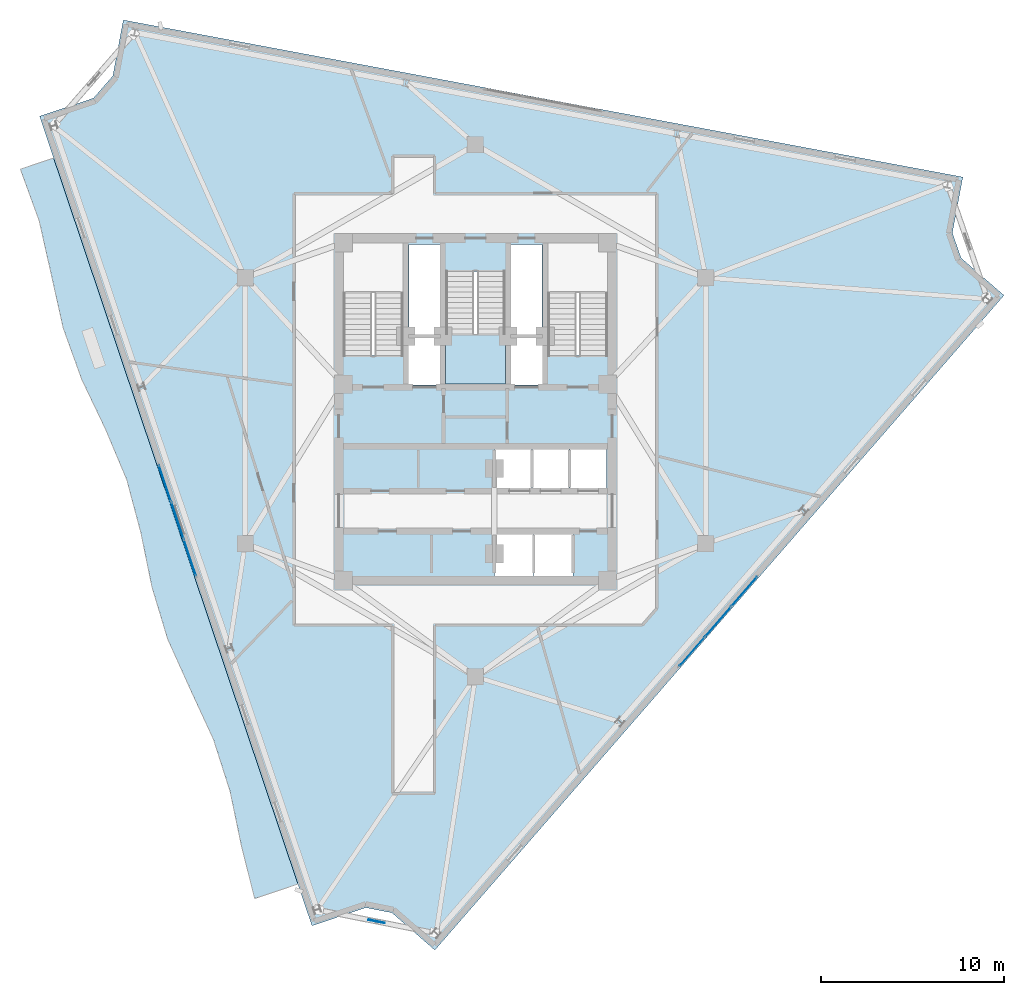
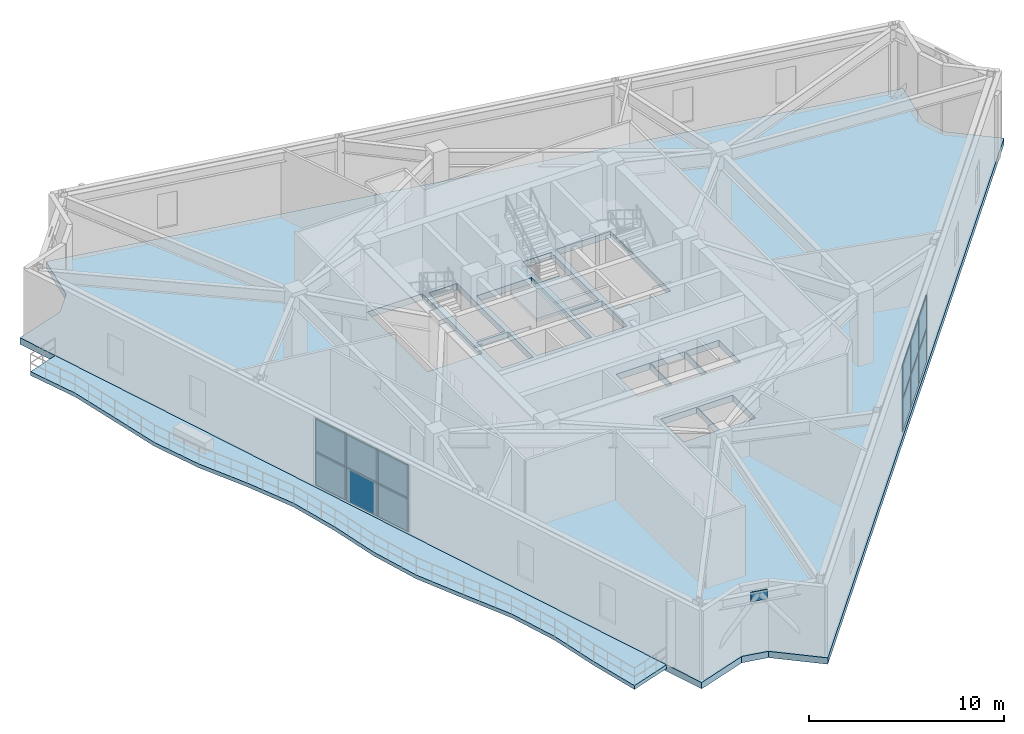
# One storey, part 8 of 15: 13 plates, 3 slabs, 3 elements without a shape of their own.
"""IFC4 building model written with IfcOpenShell, lengths in metres."""

from ifc_helpers import new_model, si_unit, direction, frame, origin, origin_2d, place, context, subcontext, project, spatial, polyline, rectangle, outline, extrude, material, layer, layer_set, type_object, element, aggregate, save


model = new_model("IFC4")

# Units and contexts
model_context = context("Model", 3, precision=1e-05, world=origin(), true_north=direction((0.0, 1.0)))
body_context = subcontext(model_context, "Body", "Model", "MODEL_VIEW")
ifc_project = project(units=[si_unit("LENGTHUNIT", "METRE"), si_unit("AREAUNIT", "SQUARE_METRE"), si_unit("VOLUMEUNIT", "CUBIC_METRE"), si_unit("PLANEANGLEUNIT", "RADIAN"), si_unit("MASSUNIT", "GRAM", prefix="KILO")], contexts=[model_context])

# Site, building, storey
site_placement = place(None, origin())
site = spatial("IfcSite", under=ifc_project, at=site_placement, CompositionType="ELEMENT")
building_placement = place(site_placement, origin())
building = spatial("IfcBuilding", under=site, at=building_placement, Name="Apsidion Concourse Tower", CompositionType="ELEMENT")
storey_placement = place(building_placement, frame((0.0, 0.0, 260.89990234375)))
storey = spatial("IfcBuildingStorey", under=building, at=storey_placement, Name="L61", CompositionType="ELEMENT", Elevation=260.89990234375)

# Curtain wall, plates
ifc_material_1 = material(Name="Insulated laminated low-E glass", Category="glass")
ifc_layer_1 = layer(ifc_material_1, 0.2099609375)
ifc_layer_set_1 = layer_set([ifc_layer_1], Name="Insulated laminated low-E glass")
curtain_wall_type = type_object("IfcCurtainWallType", Name="CW-SYS-03", PredefinedType="NOTDEFINED", material=ifc_layer_set_1)
curtain_wall_1_placement = place(storey_placement, origin())
curtain_wall_1 = element("IfcCurtainWall", 1, at=curtain_wall_1_placement, inside=storey, type_object=curtain_wall_type, Name="L61 Sky Lobby Curtain Wall 5", PredefinedType="NOTDEFINED")
ifc_layer_2 = layer(ifc_material_1, 0.031982421875)
ifc_layer_set_2 = layer_set([ifc_layer_2], Name="Insulated laminated low-E glass")
plate_type_1 = type_object("IfcPlateType", Name="CWP-GLZ-32", PredefinedType="CURTAIN_PANEL", material=ifc_layer_set_2)
plate_1_placement = place(storey_placement, frame((14.65625, -9.862060546875, 0.06494140625), z_axis=(0.0, 0.0, 1.0), x_axis=(-0.656058793498, -0.754709784933, 0.0)))
plate_1 = element("IfcPlate", 2, at=plate_1_placement, type_object=plate_type_1, Name="CW-03 panel 1.1", PredefinedType="CURTAIN_PANEL", context=body_context, shape_type="SweptSolid", body=[
    extrude(rectangle(XDim=2.091064453125, YDim=0.031982421875, at=origin_2d()), origin(), (0.0, 0.0, 1.0), 2.052490234375),
])
plate_2_placement = place(storey_placement, frame((14.65625, -9.862060546875, 2.1826171875), z_axis=(0.0, 0.0, 1.0), x_axis=(-0.656058793498, -0.754709784933, 0.0)))
plate_2 = element("IfcPlate", 3, at=plate_2_placement, type_object=plate_type_1, Name="CW-03 panel 1.2", PredefinedType="CURTAIN_PANEL", context=body_context, shape_type="SweptSolid", body=[
    extrude(rectangle(XDim=2.091064453125, YDim=0.031982421875, at=origin_2d()), origin(), (0.0, 0.0, 1.0), 2.052490234375),
])
plate_3_placement = place(storey_placement, frame((13.23095703125, -11.50146484375, 0.06494140625), z_axis=(0.0, 0.0, 1.0), x_axis=(-0.656058793498, -0.754709784933, 0.0)))
plate_3 = element("IfcPlate", 4, at=plate_3_placement, type_object=plate_type_1, Name="CW-03 panel 2.1", PredefinedType="CURTAIN_PANEL", context=body_context, shape_type="SweptSolid", body=[
    extrude(rectangle(XDim=2.12353515625, YDim=0.031982421875, at=origin_2d()), origin(), (0.0, 0.0, 1.0), 2.052490234375),
])
plate_4_placement = place(storey_placement, frame((13.23095703125, -11.50146484375, 2.1826171875), z_axis=(0.0, 0.0, 1.0), x_axis=(-0.656058793498, -0.754709784933, 0.0)))
plate_4 = element("IfcPlate", 5, at=plate_4_placement, type_object=plate_type_1, Name="CW-03 panel 2.2", PredefinedType="CURTAIN_PANEL", context=body_context, shape_type="SweptSolid", body=[
    extrude(rectangle(XDim=2.12353515625, YDim=0.031982421875, at=origin_2d()), origin(), (0.0, 0.0, 1.0), 2.052490234375),
])
plate_5_placement = place(storey_placement, frame((11.805908203125, -13.140869140625, 0.06494140625), z_axis=(0.0, 0.0, 1.0), x_axis=(-0.656058793498, -0.754709784933, 0.0)))
plate_5 = element("IfcPlate", 6, at=plate_5_placement, type_object=plate_type_1, Name="CW-03 panel 3.1", PredefinedType="CURTAIN_PANEL", context=body_context, shape_type="SweptSolid", body=[
    extrude(rectangle(XDim=2.091064453125, YDim=0.031982421875, at=origin_2d()), origin(), (0.0, 0.0, 1.0), 2.052490234375),
])
plate_6_placement = place(storey_placement, frame((11.805908203125, -13.140869140625, 2.1826171875), z_axis=(0.0, 0.0, 1.0), x_axis=(-0.656058793498, -0.754709784933, 0.0)))
plate_6 = element("IfcPlate", 7, at=plate_6_placement, type_object=plate_type_1, Name="CW-03 panel 3.2", PredefinedType="CURTAIN_PANEL", context=body_context, shape_type="SweptSolid", body=[
    extrude(rectangle(XDim=2.091064453125, YDim=0.031982421875, at=origin_2d()), origin(), (0.0, 0.0, 1.0), 2.052490234375),
])
aggregate(curtain_wall_1, [plate_1, plate_2, plate_3, plate_4, plate_5, plate_6])

curtain_wall_2_placement = place(storey_placement, origin())
curtain_wall_2 = element("IfcCurtainWall", 8, at=curtain_wall_2_placement, inside=storey, type_object=curtain_wall_type, Name="L61 Sky Lobby Curtain Wall 9", PredefinedType="NOTDEFINED")
plate_7_placement = place(storey_placement, frame((-15.573486328125, -8.013427734375, 0.06494140625), z_axis=(0.0, 0.0, 1.0), x_axis=(-0.318891035998, 0.947791383776, 0.0)))
plate_7 = element("IfcPlate", 9, at=plate_7_placement, type_object=plate_type_1, Name="CW-03 panel 1.1", PredefinedType="CURTAIN_PANEL", context=body_context, shape_type="SweptSolid", body=[
    extrude(rectangle(XDim=2.056640625, YDim=0.031982421875, at=origin_2d()), origin(), (0.0, 0.0, 1.0), 2.052490234375),
])
plate_8_placement = place(storey_placement, frame((-15.573486328125, -8.013427734375, 2.1826171875), z_axis=(0.0, 0.0, 1.0), x_axis=(-0.318891035998, 0.947791383776, 0.0)))
plate_8 = element("IfcPlate", 10, at=plate_8_placement, type_object=plate_type_1, Name="CW-03 panel 1.2", PredefinedType="CURTAIN_PANEL", context=body_context, shape_type="SweptSolid", body=[
    extrude(rectangle(XDim=2.056640625, YDim=0.031982421875, at=origin_2d()), origin(), (0.0, 0.0, 1.0), 2.052490234375),
])
plate_9_placement = place(storey_placement, frame((-16.255126953125, -5.987060546875, 0.06494140625), z_axis=(0.0, 0.0, 1.0), x_axis=(-0.318891035998, 0.947791383776, 0.0)))
plate_9 = element("IfcPlate", 11, at=plate_9_placement, type_object=plate_type_1, Name="CW-03 panel 2.1", PredefinedType="CURTAIN_PANEL", context=body_context, shape_type="SweptSolid", body=[
    extrude(rectangle(XDim=2.08935546875, YDim=0.031982421875, at=origin_2d()), origin(), (0.0, 0.0, 1.0), 2.052490234375),
])
plate_10_placement = place(storey_placement, frame((-16.255126953125, -5.987060546875, 2.1826171875), z_axis=(0.0, 0.0, 1.0), x_axis=(-0.318891035998, 0.947791383776, 0.0)))
plate_10 = element("IfcPlate", 12, at=plate_10_placement, type_object=plate_type_1, Name="CW-03 panel 2.2", PredefinedType="CURTAIN_PANEL", context=body_context, shape_type="SweptSolid", body=[
    extrude(rectangle(XDim=2.08935546875, YDim=0.031982421875, at=origin_2d()), origin(), (0.0, 0.0, 1.0), 2.052490234375),
])
plate_11_placement = place(storey_placement, frame((-16.93701171875, -3.960693359375, 0.06494140625), z_axis=(0.0, 0.0, 1.0), x_axis=(-0.318891035998, 0.947791383776, 0.0)))
plate_11 = element("IfcPlate", 13, at=plate_11_placement, type_object=plate_type_1, Name="CW-03 panel 3.1", PredefinedType="CURTAIN_PANEL", context=body_context, shape_type="SweptSolid", body=[
    extrude(rectangle(XDim=2.056640625, YDim=0.031982421875, at=origin_2d()), origin(), (0.0, 0.0, 1.0), 2.052490234375),
])
plate_12_placement = place(storey_placement, frame((-16.93701171875, -3.960693359375, 2.1826171875), z_axis=(0.0, 0.0, 1.0), x_axis=(-0.318891035998, 0.947791383776, 0.0)))
plate_12 = element("IfcPlate", 14, at=plate_12_placement, type_object=plate_type_1, Name="CW-03 panel 3.2", PredefinedType="CURTAIN_PANEL", context=body_context, shape_type="SweptSolid", body=[
    extrude(rectangle(XDim=2.056640625, YDim=0.031982421875, at=origin_2d()), origin(), (0.0, 0.0, 1.0), 2.052490234375),
])
aggregate(curtain_wall_2, [plate_7, plate_8, plate_9, plate_10, plate_11, plate_12])

# Plate
ifc_material_2 = material(Name="Structural steel ASTM A572 Grade 50", Category="steel")
ifc_layer_3 = layer(ifc_material_2, 0.0400390625)
ifc_layer_set_3 = layer_set([ifc_layer_3], Name="Structural steel ASTM A572 Grade 50")
plate_type_2 = type_object("IfcPlateType", Name="PL-GUSSET-40", PredefinedType="SHEET", material=ifc_layer_set_3)
plate_13_placement = place(storey_placement, frame((-5.3916015625, -27.847412109375, 3.77001953125), z_axis=(0.0, 0.0, 1.0), x_axis=(-0.980921240119, 0.194405557233, 0.0)))
element("IfcPlate", 15, at=plate_13_placement, inside=storey, type_object=plate_type_2, Name="L61 Chevron Apex Node Gusset Plate KNA-1", PredefinedType="SHEET", context=body_context, shape_type="SweptSolid", body=[
    extrude(rectangle(XDim=0.89990234375, YDim=0.0400390625, at=origin_2d()), origin(), (0.0, 0.0, 1.0), 0.60009765625),
])

# Slab
ifc_material_3 = material(Name="Concrete C50/60", Category="concrete")
ifc_layer_4 = layer(ifc_material_3, 0.39990234375)
ifc_layer_set_4 = layer_set([ifc_layer_4], Name="Concrete C50/60")
slab_type_1 = type_object("IfcSlabType", Name="SL-FLR-400", PredefinedType="FLOOR", material=ifc_layer_set_4)
slab_1_placement = place(storey_placement, frame((0.0, 0.0, -0.39990234375)))
element("IfcSlab", 16, at=slab_1_placement, inside=storey, type_object=slab_type_1, Name="L61 Structural Floor Slab", PredefinedType="FLOOR", context=body_context, shape_type="SweptSolid", body=[
    extrude(outline(polyline([(-19.201416015625, 21.2998046875), (-19.771484375, 18.251220703125), (-20.825439453125, 17.0390625), (-23.764892578125, 16.050048828125), (-8.916015625, -28.08154296875), (-5.976806640625, -27.092529296875), (-4.556640625, -27.373779296875), (-2.216064453125, -29.408447265625), (28.813720703125, 6.287353515625), (26.47314453125, 8.322021484375), (25.9970703125, 9.689208984375), (26.5673828125, 12.737548828125), (-19.201416015625, 21.2998046875)]), holes=[polyline([(-3.949951171875, 3.0), (-3.949951171875, 9.14990234375), (-7.199951171875, 9.14990234375), (-7.199951171875, 3.0), (-3.949951171875, 3.0)]), polyline([(7.199951171875, 3.0), (7.199951171875, 9.14990234375), (3.949951171875, 9.14990234375), (3.949951171875, 3.0), (7.199951171875, 3.0)]), polyline([(-1.625, 7.60009765625), (-1.625, 1.449951171875), (1.625, 1.449951171875), (1.625, 7.60009765625), (-1.625, 7.60009765625)]), polyline([(1.054931640625, -4.300048828125), (3.044921875, -4.300048828125), (3.044921875, -2.050048828125), (1.054931640625, -2.050048828125), (1.054931640625, -4.300048828125)]), polyline([(3.10498046875, -4.300048828125), (5.094970703125, -4.300048828125), (5.094970703125, -2.050048828125), (3.10498046875, -2.050048828125), (3.10498046875, -4.300048828125)]), polyline([(5.155029296875, -4.300048828125), (7.14501953125, -4.300048828125), (7.14501953125, -2.050048828125), (5.155029296875, -2.050048828125), (5.155029296875, -4.300048828125)]), polyline([(1.044921875, -9.0), (3.155029296875, -9.0), (3.155029296875, -6.64990234375), (1.044921875, -6.64990234375), (1.044921875, -9.0)]), polyline([(3.195068359375, -9.0), (5.304931640625, -9.0), (5.304931640625, -6.64990234375), (3.195068359375, -6.64990234375), (3.195068359375, -9.0)]), polyline([(-3.7099609375, 1.39990234375), (-1.85009765625, 1.39990234375), (-1.85009765625, 4.0), (-3.7099609375, 4.0), (-3.7099609375, 1.39990234375)]), polyline([(1.85009765625, 1.39990234375), (3.7099609375, 1.39990234375), (3.7099609375, 4.0), (1.85009765625, 4.0), (1.85009765625, 1.39990234375)]), polyline([(-3.6201171875, 4.14990234375), (-1.93994140625, 4.14990234375), (-1.93994140625, 9.050048828125), (-3.6201171875, 9.050048828125), (-3.6201171875, 4.14990234375)]), polyline([(1.93994140625, 4.14990234375), (3.6201171875, 4.14990234375), (3.6201171875, 9.050048828125), (1.93994140625, 9.050048828125), (1.93994140625, 4.14990234375)])]), origin(), (0.0, 0.0, 1.0), 0.39990234375),
])

# Stair, slab
ifc_material_4 = material(Name="Precast concrete C40/50", Category="concrete")
stair_type = type_object("IfcStairType", Name="ST-DL-1550", PredefinedType="HALF_TURN_STAIR", material=ifc_material_4)
stair_placement = place(storey_placement, origin())
stair = element("IfcStair", 17, at=stair_placement, inside=storey, type_object=stair_type, Name="L61 Protected Core Exit Stair ST3", PredefinedType="HALF_TURN_STAIR")
ifc_layer_5 = layer(ifc_material_3, 0.199951171875)
ifc_layer_set_5 = layer_set([ifc_layer_5], Name="Concrete C50/60")
slab_type_2 = type_object("IfcSlabType", Name="SL-ST-LAND-200", PredefinedType="LANDING", material=ifc_layer_set_5)
slab_2_placement = place(storey_placement, frame((0.0, 0.0, 2.10009765625)))
slab_2 = element("IfcSlab", 18, at=slab_2_placement, type_object=slab_type_2, Name="ST3 landing 1", PredefinedType="LANDING", context=body_context, shape_type="SweptSolid", body=[
    extrude(outline(polyline([(-1.625, 4.179931640625), (-1.625, 1.449951171875), (1.625, 1.449951171875), (1.625, 4.179931640625), (-1.625, 4.179931640625)])), origin(), (0.0, 0.0, 1.0), 0.199951171875),
])
aggregate(stair, [slab_2])

# Slab
ifc_layer_6 = layer(ifc_material_3, 0.239990234375)
ifc_layer_set_6 = layer_set([ifc_layer_6], Name="Concrete C50/60")
slab_type_3 = type_object("IfcSlabType", Name="SL-TERR-240", PredefinedType="ROOF", material=ifc_layer_set_6)
slab_3_placement = place(storey_placement, frame((0.0, 0.0, -0.239990234375)))
element("IfcSlab", 19, at=slab_3_placement, inside=storey, type_object=slab_type_3, Name="L61 Face 1 Spiral Sky-Terrace Slab", PredefinedType="ROOF", context=body_context, shape_type="SweptSolid", body=[
    extrude(outline(polyline([(-22.99951171875, 13.775390625), (-22.048095703125, 10.947998046875), (-21.096923828125, 8.12060546875), (-20.1455078125, 5.29345703125), (-19.1943359375, 2.466064453125), (-18.242919921875, -0.361083984375), (-17.291748046875, -3.1884765625), (-16.340576171875, -6.015869140625), (-15.38916015625, -8.843017578125), (-14.43798828125, -11.67041015625), (-13.486572265625, -14.49755859375), (-12.535400390625, -17.324951171875), (-11.583984375, -20.152099609375), (-10.6328125, -22.9794921875), (-9.681396484375, -25.806884765625), (-12.0380859375, -26.599853515625), (-12.76708984375, -23.697509765625), (-13.3779296875, -20.755859375), (-14.286865234375, -17.914306640625), (-15.545654296875, -15.1904296875), (-16.7783203125, -12.457763671875), (-17.64111328125, -9.6005859375), (-18.241943359375, -6.655517578125), (-19.009521484375, -3.766357421875), (-20.168212890625, -1.0087890625), (-21.464599609375, 1.702392578125), (-22.476806640625, 4.509033203125), (-23.13037109375, 7.4365234375), (-23.7890625, 10.3623046875), (-24.810791015625, 13.166015625), (-22.99951171875, 13.775390625)])), origin(), (0.0, 0.0, 1.0), 0.239990234375),
])

save(model, "model.ifc")
